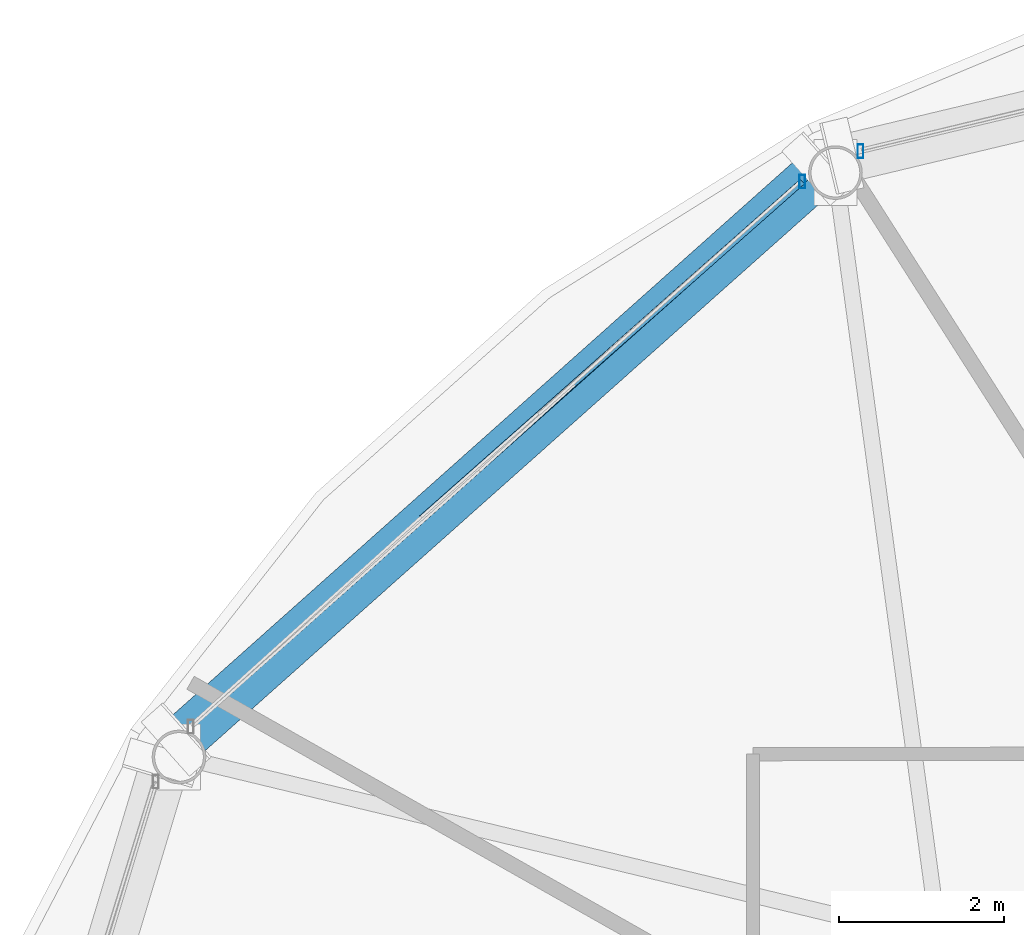
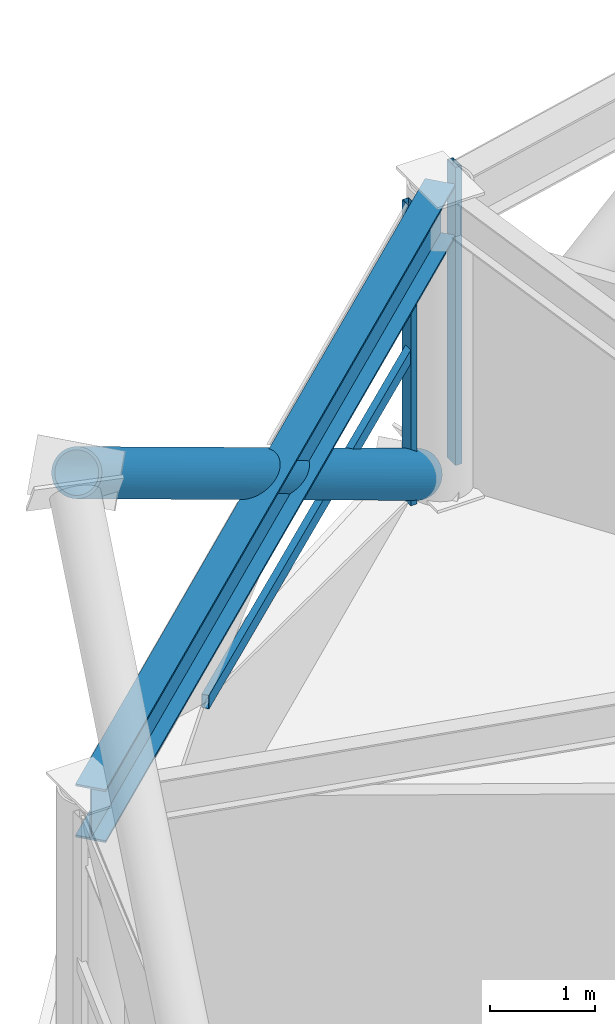
# One storey, part 16 of 28: 4 members, 1 beam, 2 elements without a shape of their own.
"""IFC4 building model written with IfcOpenShell, lengths in metres."""

from ifc_helpers import new_model, si_unit, direction, frame, origin, origin_2d, place, context, subcontext, project, spatial, hollow_rectangle, hollow_circle, i_section, extrude, material, layer, layer_set, material_profile, profile_set, type_object, element, aggregate, save


model = new_model("IFC4")

# Units and contexts
model_context = context("Model", 3, precision=1e-05, world=origin(), true_north=direction((0.0, 1.0)))
body_context = subcontext(model_context, "Body", "Model", "MODEL_VIEW")
ifc_project = project(units=[si_unit("LENGTHUNIT", "METRE"), si_unit("AREAUNIT", "SQUARE_METRE"), si_unit("VOLUMEUNIT", "CUBIC_METRE"), si_unit("PLANEANGLEUNIT", "RADIAN"), si_unit("MASSUNIT", "GRAM", prefix="KILO")], contexts=[model_context])

# Site, building, storey
site_placement = place(None, origin())
site = spatial("IfcSite", under=ifc_project, at=site_placement, CompositionType="ELEMENT")
building_placement = place(site_placement, origin())
building = spatial("IfcBuilding", under=site, at=building_placement, Name="Vantalir Tower", CompositionType="ELEMENT")
storey_placement = place(building_placement, frame((0.0, 0.0, 242.39990234375)))
storey = spatial("IfcBuildingStorey", under=building, at=storey_placement, Name="L61", CompositionType="ELEMENT", Elevation=242.39990234375)

# Beam
ifc_material_1 = material(Name="Steel S460", Category="steel")
ifc_material_profile_1 = material_profile(ifc_material_1, i_section(OverallWidth=0.306884765625, OverallDepth=0.6201171875, WebThickness=0.01416015625, FlangeThickness=0.023681640625, at=origin_2d()), Name="Steel S460")
ifc_profile_set_1 = profile_set([ifc_material_profile_1], Name="Steel S460")
beam_type = type_object("IfcBeamType", Name="BM-RG-610x305", PredefinedType="USERDEFINED", material=ifc_profile_set_1)
beam_placement = place(storey_placement, frame((20.64111328125, 41.742919921875, 3.260009765625), z_axis=(-0.746899058065, -0.664937438456, 0.0), x_axis=(0.664937438456, -0.746899058065, 0.0)))
element("IfcBeam", 1, at=beam_placement, inside=storey, type_object=beam_type, Name="L61 Circumferential Ring Girder 05", ObjectType="GIRDER", PredefinedType="USERDEFINED", context=body_context, shape_type="SweptSolid", body=[
    extrude(i_section(OverallWidth=0.306884765625, OverallDepth=0.6201171875, WebThickness=0.01416015625, FlangeThickness=0.023681640625, at=origin_2d()), origin(), (0.0, 0.0, 1.0), 10.64306640625),
])

# Curtain wall, member
ifc_material_2 = material(Name="Champagne-silver PVDF aluminium and double-silver Low-E glass", Category="aluminium")
ifc_layer = layer(ifc_material_2, 0.2099609375)
ifc_layer_set = layer_set([ifc_layer], Name="Champagne-silver PVDF aluminium and double-silver Low-E glass")
curtain_wall_type = type_object("IfcCurtainWallType", Name="CW-DIAMOND-Z3", PredefinedType="USERDEFINED", material=ifc_layer_set)
curtain_wall_1_placement = place(storey_placement, origin())
curtain_wall_1 = element("IfcCurtainWall", 2, at=curtain_wall_1_placement, inside=storey, type_object=curtain_wall_type, Name="L61 Quilted Pyramid-Diamond Curtain Wall S04", ObjectType="UNITISED CURTAIN WALL", PredefinedType="USERDEFINED")
ifc_material_3 = material(Name="Champagne-silver PVDF aluminium 6063-T6", Category="aluminium")
ifc_material_profile_2 = material_profile(ifc_material_3, hollow_rectangle(XDim=0.070068359375, YDim=0.1650390625, WallThickness=0.00390625, at=origin_2d()), Name="Champagne-silver PVDF aluminium 6063-T6")
ifc_profile_set_2 = profile_set([ifc_material_profile_2], Name="Champagne-silver PVDF aluminium 6063-T6")
member_type_1 = type_object("IfcMemberType", Name="CWM-165x70", PredefinedType="MULLION", material=ifc_profile_set_2)
member_1_placement = place(storey_placement, frame((20.945068359375, 42.001953125, 0.045166015625), z_axis=(0.0, 0.0, 1.0), x_axis=(1.0, 0.0, 0.0)))
member_1 = element("IfcMember", 3, at=member_1_placement, type_object=member_type_1, Name="CW-L61-S04 Mullion 2", PredefinedType="MULLION", context=body_context, shape_type="SweptSolid", body=[
    extrude(hollow_rectangle(XDim=0.070068359375, YDim=0.1650390625, WallThickness=0.00390625, at=origin_2d()), origin(), (0.0, 0.0, 1.0), 3.47998046875),
])
aggregate(curtain_wall_1, [member_1])

# Curtain wall, members
curtain_wall_2_placement = place(storey_placement, origin())
curtain_wall_2 = element("IfcCurtainWall", 4, at=curtain_wall_2_placement, inside=storey, type_object=curtain_wall_type, Name="L61 Quilted Pyramid-Diamond Curtain Wall S05", ObjectType="UNITISED CURTAIN WALL", PredefinedType="USERDEFINED")
member_2_placement = place(storey_placement, frame((20.239990234375, 41.634033203125, 0.045166015625), z_axis=(0.0, 0.0, 1.0), x_axis=(1.0, 0.0, 0.0)))
member_2 = element("IfcMember", 5, at=member_2_placement, type_object=member_type_1, Name="CW-L61-S05 Mullion 1", PredefinedType="MULLION", context=body_context, shape_type="SweptSolid", body=[
    extrude(hollow_rectangle(XDim=0.070068359375, YDim=0.1650390625, WallThickness=0.00390625, at=origin_2d()), origin(), (0.0, 0.0, 1.0), 3.47998046875),
])
ifc_material_profile_3 = material_profile(ifc_material_3, hollow_rectangle(XDim=0.074951171875, YDim=0.159912109375, WallThickness=0.00390625, at=origin_2d()), Name="Champagne-silver PVDF aluminium 6063-T6")
ifc_profile_set_3 = profile_set([ifc_material_profile_3], Name="Champagne-silver PVDF aluminium 6063-T6")
member_type_2 = type_object("IfcMemberType", Name="CWT-160x75", PredefinedType="USERDEFINED", material=ifc_profile_set_3)
member_3_placement = place(storey_placement, frame((20.239990234375, 41.634033203125, 1.78515625), z_axis=(-0.749148717244, -0.662401841371, 0.0), x_axis=(0.662401841371, -0.749148717244, 0.0)))
member_3 = element("IfcMember", 6, at=member_3_placement, type_object=member_type_2, Name="CW-L61-S05 Pyramid Fold Ridge Transom", ObjectType="TRANSOM", PredefinedType="USERDEFINED", context=body_context, shape_type="SweptSolid", body=[
    extrude(hollow_rectangle(XDim=0.074951171875, YDim=0.159912109375, WallThickness=0.00390625, at=origin_2d()), origin(), (0.0, 0.0, 1.0), 6.155029296875),
])
aggregate(curtain_wall_2, [member_2, member_3])

# Member
ifc_material_profile_4 = material_profile(ifc_material_1, hollow_circle(Radius=0.25, WallThickness=0.031982421875, at=origin_2d()), Name="Steel S460")
ifc_profile_set_4 = profile_set([ifc_material_profile_4], Name="Steel S460")
member_type_3 = type_object("IfcMemberType", Name="MEM-DB-500x32", PredefinedType="BRACE", material=ifc_profile_set_4)
member_4_placement = place(storey_placement, frame((20.408935546875, 41.784912109375, 0.2021484375), z_axis=(-0.621182231452, -0.553567496238, 0.554703220143), x_axis=(0.66530694266, -0.746569937814, 0.0)))
element("IfcMember", 7, at=member_4_placement, inside=storey, type_object=member_type_3, Name="L61 Perimeter S460 Diagrid Brace R13L", PredefinedType="BRACE", context=body_context, shape_type="SweptSolid", body=[
    extrude(hollow_circle(Radius=0.25, WallThickness=0.031982421875, at=origin_2d()), origin(), (0.0, 0.0, 1.0), 12.468017578125),
])

save(model, "model.ifc")
